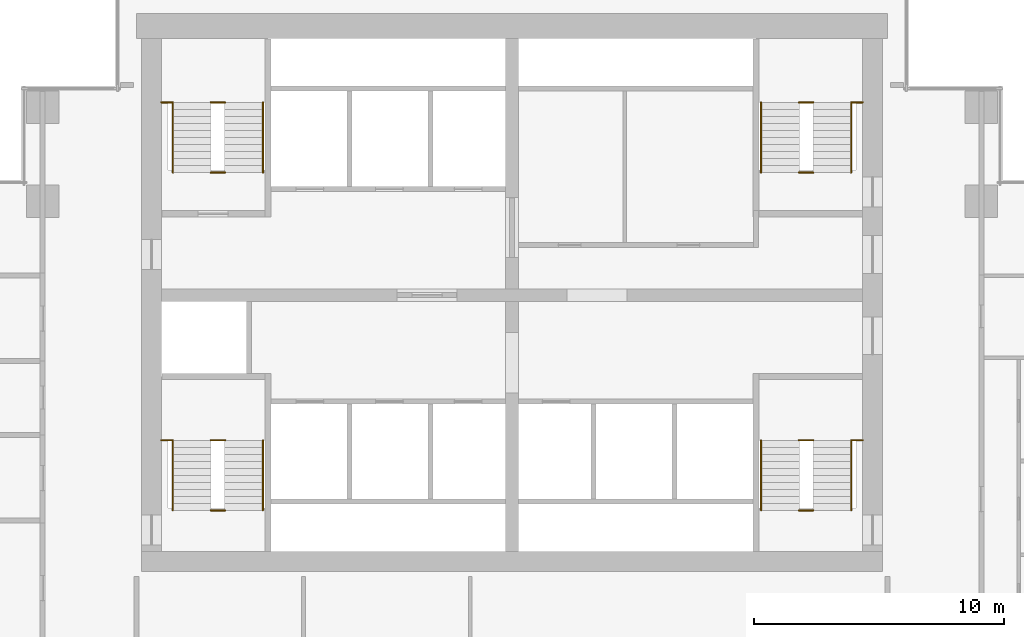
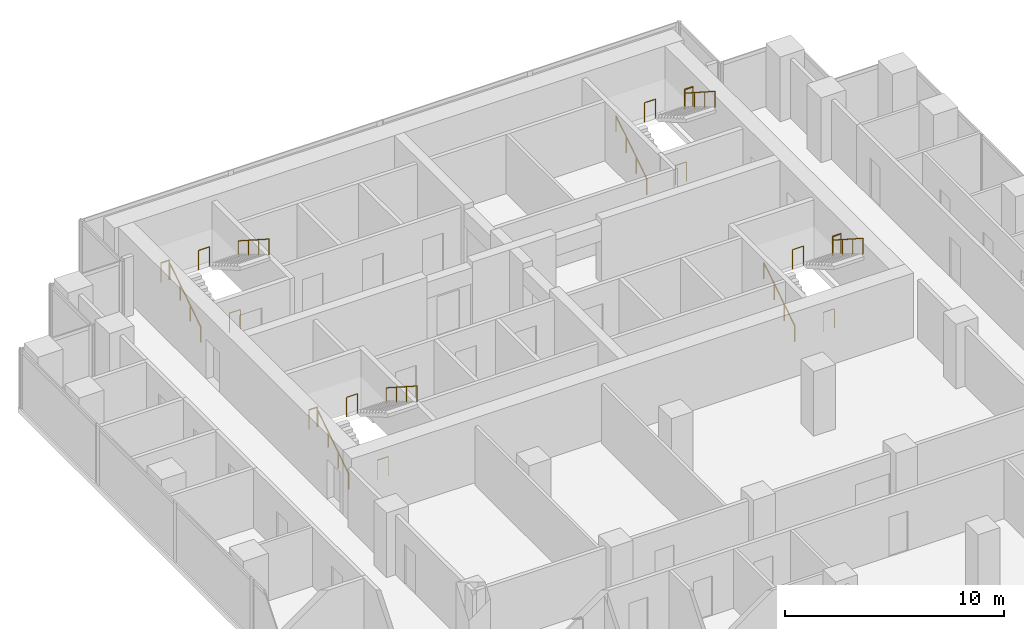
# One storey, part 11 of 11: 20 railings.
"""IFC4 building model written with IfcOpenShell, lengths in metres."""

import ifcopenshell
import ifcopenshell.guid

model = None  # the IFC model being written
_history = None  # IfcOwnerHistory: only IFC2X3 demands one
_inside = {}  # id of a spatial element -> (the spatial element, [elements in it])
_under = {}  # id of a project, library or spatial element -> (it, [spatial elements below it])
_declared = {}  # id of a project -> (the project, [libraries it declares])
_typed = {}  # id of a type object -> (the type object, [elements of that type])
_made_of = {}  # id of a material, layer set ... -> (it, [elements and type objects made of it])


def new_model(schema):
    """Start an empty IFC model of exactly this schema.

    Asked for "IFC4X3", IfcOpenShell would pick the latest addendum, in which some entities
    have other attributes; the version numbers below select the first issue.
    IFC2X3 requires an IfcOwnerHistory on every rooted entity: one is made here for all.
    """
    global model, _history
    if schema == "IFC4X3":
        model = ifcopenshell.file(schema_version=(4, 3, 0, 0))
    else:
        model = ifcopenshell.file(schema=schema)
    _inside.clear()
    _under.clear()
    _declared.clear()
    _typed.clear()
    _made_of.clear()
    _history = None
    if model.schema == "IFC2X3":
        org = make("IfcOrganization", Name="unknown")
        user = make(
            "IfcPersonAndOrganization",
            ThePerson=make("IfcPerson", FamilyName="unknown"),
            TheOrganization=org,
        )
        app = make(
            "IfcApplication",
            ApplicationDeveloper=org,
            Version="unknown",
            ApplicationFullName="unknown",
            ApplicationIdentifier="unknown",
        )
        _history = make(
            "IfcOwnerHistory",
            OwningUser=user,
            OwningApplication=app,
            ChangeAction="ADDED",
            CreationDate=0,
        )
    return model


def make(cls, **values):
    """One entity of the class cls with the attributes given. An attribute that is None is left unset."""
    return model.create_entity(
        cls, **{name: value for name, value in values.items() if value is not None}
    )


def rooted(cls, **values):
    """An entity with a GlobalId (a new one), such as an element, a storey or a relation."""
    return make(cls, GlobalId=ifcopenshell.guid.new(), OwnerHistory=_history, **values)


def si_unit(unit_type, name, prefix=None):
    """IfcSIUnit, for example si_unit("LENGTHUNIT", "METRE", prefix="MILLI")."""
    return make("IfcSIUnit", UnitType=unit_type, Prefix=prefix, Name=name)


def assignment(units):
    """IfcUnitAssignment: the units of a project."""
    return None if units is None else make("IfcUnitAssignment", Units=units)


def point(xyz):
    """IfcCartesianPoint."""
    return None if xyz is None else make("IfcCartesianPoint", Coordinates=xyz)


def direction(xyz):
    """IfcDirection."""
    return None if xyz is None else make("IfcDirection", DirectionRatios=xyz)


def frame(location, z_axis=None, x_axis=None):
    """IfcAxis2Placement3D, a coordinate frame: its origin and axes. An axis left out is left unset."""
    return make(
        "IfcAxis2Placement3D",
        Location=point(location),
        Axis=direction(z_axis),
        RefDirection=direction(x_axis),
    )


def frame_2d(location, x_axis=None):
    """IfcAxis2Placement2D, a coordinate frame in the plane: its origin and x axis."""
    return make(
        "IfcAxis2Placement2D", Location=point(location), RefDirection=direction(x_axis)
    )


def origin():
    """The frame at (0, 0, 0) with its axes left unset."""
    return frame((0.0, 0.0, 0.0))


def origin_2d():
    """The frame at (0, 0) in the plane with its x axis left unset."""
    return frame_2d((0.0, 0.0))


def place(relative_to, where):
    """IfcLocalPlacement: puts the frame where relative to a parent placement (None: the world)."""
    return make(
        "IfcLocalPlacement", PlacementRelTo=relative_to, RelativePlacement=where
    )


def context(
    kind, dimensions, precision=None, world=None, true_north=None, identifier=None
):
    """IfcGeometricRepresentationContext, for example the 3D "Model" context."""
    return make(
        "IfcGeometricRepresentationContext",
        ContextIdentifier=identifier,
        ContextType=kind,
        CoordinateSpaceDimension=dimensions,
        Precision=precision,
        WorldCoordinateSystem=world,
        TrueNorth=true_north,
    )


def subcontext(parent, identifier, kind, view, scale=None):
    """IfcGeometricRepresentationSubContext, for example "Body" below "Model"."""
    return make(
        "IfcGeometricRepresentationSubContext",
        ContextIdentifier=identifier,
        ContextType=kind,
        ParentContext=parent,
        TargetScale=scale,
        TargetView=view,
    )


def project(units=None, contexts=None):
    """IfcProject with its units and contexts."""
    return rooted(
        "IfcProject",
        Name="project",
        RepresentationContexts=contexts,
        UnitsInContext=assignment(units),
    )


def spatial(cls, under=None, at=None, **own):
    """A site, building, storey or space (cls), placed at a placement, below another one or the project."""
    s = rooted(cls, ObjectPlacement=at, **own)
    if under is not None:
        _under.setdefault(under.id(), (under, []))[1].append(s)
    return s


def profile(cls, at=None, kind="AREA", **sizes):
    """A parametric profile (cls). Its sizes go by their IFC names, for example OverallWidth=200.0."""
    return make(cls, ProfileType=kind, Position=at, **sizes)


def circle(**sizes):
    """IfcCircleProfileDef."""
    return profile("IfcCircleProfileDef", **sizes)


def extrude(swept, where, along, depth):
    """IfcExtrudedAreaSolid: the profile swept, set in the frame where, extruded along a direction by depth."""
    return make(
        "IfcExtrudedAreaSolid",
        SweptArea=swept,
        Position=where,
        ExtrudedDirection=direction(along),
        Depth=depth,
    )


def shape(context_of_items, identifier, shape_type, items):
    """IfcShapeRepresentation: the items that make up one representation, for example the "Body"."""
    return make(
        "IfcShapeRepresentation",
        ContextOfItems=context_of_items,
        RepresentationIdentifier=identifier,
        RepresentationType=shape_type,
        Items=items,
    )


def material(Name=None, Category=None):
    """IfcMaterial."""
    return make("IfcMaterial", Name=Name, Category=Category)


def made_of(thing, what):
    """Note that an element or type object is made of a material, layer set ...; save() writes the relation."""
    if what is not None:
        _made_of.setdefault(what.id(), (what, []))[1].append(thing)
    return thing


def type_object(cls, material=None, **own):
    """A type object (cls), such as IfcWallType, which elements share."""
    return made_of(rooted(cls, **own), material)


def element(
    cls,
    number,
    at=None,
    inside=None,
    cuts=None,
    type_object=None,
    material=None,
    context=None,
    identifier="Body",
    shape_type=None,
    held_by="IfcProductDefinitionShape",
    body=None,
    shapes=None,
    **own,
):
    """One element of the class cls, such as IfcWall. Its Tag is "e" and its number.

    at: its placement. inside: the storey or other place that contains it. cuts: it is an
    opening in that element (IfcRelVoidsElement). A single representation is given by context,
    identifier, shape_type and body (its items); several are given by shapes. held_by: the class
    of the entity that holds the representations. save() writes the other relations.
    """
    e = rooted(cls, Tag="e%d" % number, ObjectPlacement=at, **own)
    if body is not None:
        shapes = [shape(context, identifier, shape_type, body)]
    if shapes is not None:
        e.Representation = make(held_by, Representations=shapes)
    if inside is not None:
        _inside.setdefault(inside.id(), (inside, []))[1].append(e)
    if cuts is not None:
        rooted(
            "IfcRelVoidsElement", RelatingBuildingElement=cuts, RelatedOpeningElement=e
        )
    if type_object is not None:
        _typed.setdefault(type_object.id(), (type_object, []))[1].append(e)
    return made_of(e, material)


def aggregate(whole, parts):
    """IfcRelAggregates: a whole, such as a stair, and the parts it consists of."""
    return rooted("IfcRelAggregates", RelatingObject=whole, RelatedObjects=parts)


def save(model, path):
    """Write the relations noted so far, then the file.

    IfcRelAggregates (storeys below a building ...), IfcRelContainedInSpatialStructure (elements
    in a storey), IfcRelDefinesByType, IfcRelAssociatesMaterial and IfcRelDeclares: one each for
    every whole, place, type object, material and project.
    """
    for whole, parts in _under.values():
        aggregate(whole, parts)
    for where, things in _inside.values():
        rooted(
            "IfcRelContainedInSpatialStructure",
            RelatedElements=things,
            RelatingStructure=where,
        )
    for kind, things in _typed.values():
        rooted("IfcRelDefinesByType", RelatedObjects=things, RelatingType=kind)
    for what, things in _made_of.values():
        rooted("IfcRelAssociatesMaterial", RelatedObjects=things, RelatingMaterial=what)
    for by, libraries in _declared.values():
        rooted("IfcRelDeclares", RelatingContext=by, RelatedDefinitions=libraries)
    model.write(path)


model = new_model("IFC4")

# Units and contexts
model_context = context("Model", 3, precision=1e-05, world=origin(), true_north=direction((0.0, 1.0)))
body_context = subcontext(model_context, "Body", "Model", "MODEL_VIEW")
ifc_project = project(units=[si_unit("LENGTHUNIT", "METRE"), si_unit("AREAUNIT", "SQUARE_METRE"), si_unit("VOLUMEUNIT", "CUBIC_METRE"), si_unit("PLANEANGLEUNIT", "RADIAN"), si_unit("MASSUNIT", "GRAM", prefix="KILO")], contexts=[model_context])

# Site, building, storey
site_placement = place(None, origin())
site = spatial("IfcSite", under=ifc_project, at=site_placement, CompositionType="ELEMENT")
building_placement = place(site_placement, origin())
building = spatial("IfcBuilding", under=site, at=building_placement, Name="Pilkhan Gate Tower", CompositionType="ELEMENT")
storey_placement = place(building_placement, frame((0.0, 0.0, 121.60009765625)))
storey = spatial("IfcBuildingStorey", under=building, at=storey_placement, Name="L30", CompositionType="ELEMENT", Elevation=121.60009765625)

# Railings
ifc_material_1 = material(Name="Black powder-coated steel tube", Category="steel")
railing_type_1 = type_object("IfcRailingType", Name="Stair handrail HR1", PredefinedType="HANDRAIL", material=ifc_material_1)
railing_1_placement = place(storey_placement, frame((84.949951171875, 73.89990234375, 0.0)))
element("IfcRailing", 1, at=railing_1_placement, inside=storey, type_object=railing_type_1, Name="Stair ST1 handrail L30", PredefinedType="HANDRAIL", context=body_context, shape_type="SweptSolid", body=[
    extrude(circle(Radius=0.02392578125, at=origin_2d()), frame((0.0, 0.0, 0.8759765625), z_axis=(0.0, 0.841209454229, 0.540709398952), x_axis=(-1.0, 0.0, 0.0)), (0.0, 0.0, 1.0), 3.32861328125),
    extrude(circle(Radius=0.02099609375, at=origin_2d()), origin(), (0.0, 0.0, 1.0), 0.851806640625),
    extrude(circle(Radius=0.02099609375, at=origin_2d()), frame((0.0, 0.933349609375, 0.599853515625)), (0.0, 0.0, 1.0), 0.851806640625),
    extrude(circle(Radius=0.02099609375, at=origin_2d()), frame((0.0, 1.86669921875, 1.199951171875)), (0.0, 0.0, 1.0), 0.851806640625),
    extrude(circle(Radius=0.02099609375, at=origin_2d()), frame((0.0, 2.800048828125, 1.7998046875)), (0.0, 0.0, 1.0), 0.851806640625),
])
railing_2_placement = place(storey_placement, frame((88.550048828125, 76.699951171875, 1.7998046875)))
element("IfcRailing", 2, at=railing_2_placement, inside=storey, type_object=railing_type_1, Name="Stair ST1 handrail L30", PredefinedType="HANDRAIL", context=body_context, shape_type="SweptSolid", body=[
    extrude(circle(Radius=0.02392578125, at=origin_2d()), frame((0.0, 0.0, 0.8759765625), z_axis=(0.0, -0.841176092368, 0.540761298198), x_axis=(1.0, 0.0, 0.0)), (0.0, 0.0, 1.0), 3.32861328125),
    extrude(circle(Radius=0.02099609375, at=origin_2d()), origin(), (0.0, 0.0, 1.0), 0.851806640625),
    extrude(circle(Radius=0.02099609375, at=origin_2d()), frame((0.0, -0.933349609375, 0.60009765625)), (0.0, 0.0, 1.0), 0.851806640625),
    extrude(circle(Radius=0.02099609375, at=origin_2d()), frame((0.0, -1.86669921875, 1.199951171875)), (0.0, 0.0, 1.0), 0.851806640625),
    extrude(circle(Radius=0.02099609375, at=origin_2d()), frame((0.0, -2.800048828125, 1.800048828125)), (0.0, 0.0, 1.0), 0.851806640625),
])
railing_3_placement = place(storey_placement, frame((61.449951171875, 73.89990234375, 0.0)))
element("IfcRailing", 3, at=railing_3_placement, inside=storey, type_object=railing_type_1, Name="Stair ST2 handrail L30", PredefinedType="HANDRAIL", context=body_context, shape_type="SweptSolid", body=[
    extrude(circle(Radius=0.02392578125, at=origin_2d()), frame((0.0, 0.0, 0.8759765625), z_axis=(0.0, 0.841209454229, 0.540709398952), x_axis=(-1.0, 0.0, 0.0)), (0.0, 0.0, 1.0), 3.32861328125),
    extrude(circle(Radius=0.02099609375, at=origin_2d()), origin(), (0.0, 0.0, 1.0), 0.851806640625),
    extrude(circle(Radius=0.02099609375, at=origin_2d()), frame((0.0, 0.933349609375, 0.599853515625)), (0.0, 0.0, 1.0), 0.851806640625),
    extrude(circle(Radius=0.02099609375, at=origin_2d()), frame((0.0, 1.86669921875, 1.199951171875)), (0.0, 0.0, 1.0), 0.851806640625),
    extrude(circle(Radius=0.02099609375, at=origin_2d()), frame((0.0, 2.800048828125, 1.7998046875)), (0.0, 0.0, 1.0), 0.851806640625),
])
railing_4_placement = place(storey_placement, frame((65.050048828125, 76.699951171875, 1.7998046875)))
element("IfcRailing", 4, at=railing_4_placement, inside=storey, type_object=railing_type_1, Name="Stair ST2 handrail L30", PredefinedType="HANDRAIL", context=body_context, shape_type="SweptSolid", body=[
    extrude(circle(Radius=0.02392578125, at=origin_2d()), frame((0.0, 0.0, 0.8759765625), z_axis=(0.0, -0.841176092368, 0.540761298198), x_axis=(1.0, 0.0, 0.0)), (0.0, 0.0, 1.0), 3.32861328125),
    extrude(circle(Radius=0.02099609375, at=origin_2d()), origin(), (0.0, 0.0, 1.0), 0.851806640625),
    extrude(circle(Radius=0.02099609375, at=origin_2d()), frame((0.0, -0.933349609375, 0.60009765625)), (0.0, 0.0, 1.0), 0.851806640625),
    extrude(circle(Radius=0.02099609375, at=origin_2d()), frame((0.0, -1.86669921875, 1.199951171875)), (0.0, 0.0, 1.0), 0.851806640625),
    extrude(circle(Radius=0.02099609375, at=origin_2d()), frame((0.0, -2.800048828125, 1.800048828125)), (0.0, 0.0, 1.0), 0.851806640625),
])
railing_5_placement = place(storey_placement, frame((61.449951171875, 87.39990234375, 0.0)))
element("IfcRailing", 5, at=railing_5_placement, inside=storey, type_object=railing_type_1, Name="Stair ST3 handrail L30", PredefinedType="HANDRAIL", context=body_context, shape_type="SweptSolid", body=[
    extrude(circle(Radius=0.02392578125, at=origin_2d()), frame((0.0, 0.0, 0.8759765625), z_axis=(0.0, 0.841209454229, 0.540709398952), x_axis=(-1.0, 0.0, 0.0)), (0.0, 0.0, 1.0), 3.32861328125),
    extrude(circle(Radius=0.02099609375, at=origin_2d()), origin(), (0.0, 0.0, 1.0), 0.851806640625),
    extrude(circle(Radius=0.02099609375, at=origin_2d()), frame((0.0, 0.933349609375, 0.599853515625)), (0.0, 0.0, 1.0), 0.851806640625),
    extrude(circle(Radius=0.02099609375, at=origin_2d()), frame((0.0, 1.86669921875, 1.199951171875)), (0.0, 0.0, 1.0), 0.851806640625),
    extrude(circle(Radius=0.02099609375, at=origin_2d()), frame((0.0, 2.800048828125, 1.7998046875)), (0.0, 0.0, 1.0), 0.851806640625),
])
railing_6_placement = place(storey_placement, frame((65.050048828125, 90.199951171875, 1.7998046875)))
element("IfcRailing", 6, at=railing_6_placement, inside=storey, type_object=railing_type_1, Name="Stair ST3 handrail L30", PredefinedType="HANDRAIL", context=body_context, shape_type="SweptSolid", body=[
    extrude(circle(Radius=0.02392578125, at=origin_2d()), frame((0.0, 0.0, 0.8759765625), z_axis=(0.0, -0.841176092368, 0.540761298198), x_axis=(1.0, 0.0, 0.0)), (0.0, 0.0, 1.0), 3.32861328125),
    extrude(circle(Radius=0.02099609375, at=origin_2d()), origin(), (0.0, 0.0, 1.0), 0.851806640625),
    extrude(circle(Radius=0.02099609375, at=origin_2d()), frame((0.0, -0.933349609375, 0.60009765625)), (0.0, 0.0, 1.0), 0.851806640625),
    extrude(circle(Radius=0.02099609375, at=origin_2d()), frame((0.0, -1.86669921875, 1.199951171875)), (0.0, 0.0, 1.0), 0.851806640625),
    extrude(circle(Radius=0.02099609375, at=origin_2d()), frame((0.0, -2.800048828125, 1.800048828125)), (0.0, 0.0, 1.0), 0.851806640625),
])
railing_7_placement = place(storey_placement, frame((84.949951171875, 87.39990234375, 0.0)))
element("IfcRailing", 7, at=railing_7_placement, inside=storey, type_object=railing_type_1, Name="Stair ST4 handrail L30", PredefinedType="HANDRAIL", context=body_context, shape_type="SweptSolid", body=[
    extrude(circle(Radius=0.02392578125, at=origin_2d()), frame((0.0, 0.0, 0.8759765625), z_axis=(0.0, 0.841209454229, 0.540709398952), x_axis=(-1.0, 0.0, 0.0)), (0.0, 0.0, 1.0), 3.32861328125),
    extrude(circle(Radius=0.02099609375, at=origin_2d()), origin(), (0.0, 0.0, 1.0), 0.851806640625),
    extrude(circle(Radius=0.02099609375, at=origin_2d()), frame((0.0, 0.933349609375, 0.599853515625)), (0.0, 0.0, 1.0), 0.851806640625),
    extrude(circle(Radius=0.02099609375, at=origin_2d()), frame((0.0, 1.86669921875, 1.199951171875)), (0.0, 0.0, 1.0), 0.851806640625),
    extrude(circle(Radius=0.02099609375, at=origin_2d()), frame((0.0, 2.800048828125, 1.7998046875)), (0.0, 0.0, 1.0), 0.851806640625),
])
railing_8_placement = place(storey_placement, frame((88.550048828125, 90.199951171875, 1.7998046875)))
element("IfcRailing", 8, at=railing_8_placement, inside=storey, type_object=railing_type_1, Name="Stair ST4 handrail L30", PredefinedType="HANDRAIL", context=body_context, shape_type="SweptSolid", body=[
    extrude(circle(Radius=0.02392578125, at=origin_2d()), frame((0.0, 0.0, 0.8759765625), z_axis=(0.0, -0.841176092368, 0.540761298198), x_axis=(1.0, 0.0, 0.0)), (0.0, 0.0, 1.0), 3.32861328125),
    extrude(circle(Radius=0.02099609375, at=origin_2d()), origin(), (0.0, 0.0, 1.0), 0.851806640625),
    extrude(circle(Radius=0.02099609375, at=origin_2d()), frame((0.0, -0.933349609375, 0.60009765625)), (0.0, 0.0, 1.0), 0.851806640625),
    extrude(circle(Radius=0.02099609375, at=origin_2d()), frame((0.0, -1.86669921875, 1.199951171875)), (0.0, 0.0, 1.0), 0.851806640625),
    extrude(circle(Radius=0.02099609375, at=origin_2d()), frame((0.0, -2.800048828125, 1.800048828125)), (0.0, 0.0, 1.0), 0.851806640625),
])
ifc_material_2 = material(Name="Black powder-coated steel balusters", Category="steel")
railing_type_2 = type_object("IfcRailingType", Name="Stair well guard G3", PredefinedType="GUARDRAIL", material=ifc_material_2)
railing_9_placement = place(storey_placement, frame((88.580078125, 76.699951171875, 1.7998046875)))
element("IfcRailing", 9, at=railing_9_placement, inside=storey, type_object=railing_type_2, Name="Stair ST1 well guard L30", PredefinedType="GUARDRAIL", context=body_context, shape_type="SweptSolid", body=[
    extrude(circle(Radius=0.02392578125, at=origin_2d()), frame((0.0, 0.0, 1.076171875), z_axis=(1.0, 0.0, 0.0), x_axis=(0.0, 1.0, 0.0)), (0.0, 0.0, 1.0), 0.43994140625),
    extrude(circle(Radius=0.02099609375, at=origin_2d()), origin(), (0.0, 0.0, 1.0), 1.052001953125),
    extrude(circle(Radius=0.02099609375, at=origin_2d()), frame((0.43994140625, 0.0, 0.0)), (0.0, 0.0, 1.0), 1.052001953125),
])
for number, where, name in (
    (10, (86.4599609375, 73.89990234375, 0.0), "Stair ST1 well guard L30"),
    (11, (86.4599609375, 76.699951171875, 1.7998046875), "Stair ST1 well guard L30"),
):
    element("IfcRailing", number, at=place(storey_placement, frame(where)), inside=storey, type_object=railing_type_2, Name=name, PredefinedType="GUARDRAIL", context=body_context, shape_type="SweptSolid", body=[
        extrude(circle(Radius=0.02392578125, at=origin_2d()), frame((0.0, 0.0, 1.076171875), z_axis=(1.0, 0.0, 0.0), x_axis=(0.0, 1.0, 0.0)), (0.0, 0.0, 1.0), 0.580078125),
        extrude(circle(Radius=0.02099609375, at=origin_2d()), origin(), (0.0, 0.0, 1.0), 1.052001953125),
        extrude(circle(Radius=0.02099609375, at=origin_2d()), frame((0.580078125, 0.0, 0.0)), (0.0, 0.0, 1.0), 1.052001953125),
    ])
railing_10_placement = place(storey_placement, frame((60.97998046875, 76.699951171875, 1.7998046875)))
element("IfcRailing", 12, at=railing_10_placement, inside=storey, type_object=railing_type_2, Name="Stair ST2 well guard L30", PredefinedType="GUARDRAIL", context=body_context, shape_type="SweptSolid", body=[
    extrude(circle(Radius=0.02392578125, at=origin_2d()), frame((0.0, 0.0, 1.076171875), z_axis=(1.0, 0.0, 0.0), x_axis=(0.0, 1.0, 0.0)), (0.0, 0.0, 1.0), 0.43994140625),
    extrude(circle(Radius=0.02099609375, at=origin_2d()), origin(), (0.0, 0.0, 1.0), 1.052001953125),
    extrude(circle(Radius=0.02099609375, at=origin_2d()), frame((0.43994140625, 0.0, 0.0)), (0.0, 0.0, 1.0), 1.052001953125),
])
for number, where, name in (
    (13, (62.9599609375, 73.89990234375, 0.0), "Stair ST2 well guard L30"),
    (14, (62.9599609375, 76.699951171875, 1.7998046875), "Stair ST2 well guard L30"),
):
    element("IfcRailing", number, at=place(storey_placement, frame(where)), inside=storey, type_object=railing_type_2, Name=name, PredefinedType="GUARDRAIL", context=body_context, shape_type="SweptSolid", body=[
        extrude(circle(Radius=0.02392578125, at=origin_2d()), frame((0.0, 0.0, 1.076171875), z_axis=(1.0, 0.0, 0.0), x_axis=(0.0, 1.0, 0.0)), (0.0, 0.0, 1.0), 0.580078125),
        extrude(circle(Radius=0.02099609375, at=origin_2d()), origin(), (0.0, 0.0, 1.0), 1.052001953125),
        extrude(circle(Radius=0.02099609375, at=origin_2d()), frame((0.580078125, 0.0, 0.0)), (0.0, 0.0, 1.0), 1.052001953125),
    ])
railing_11_placement = place(storey_placement, frame((60.97998046875, 90.199951171875, 1.7998046875)))
element("IfcRailing", 15, at=railing_11_placement, inside=storey, type_object=railing_type_2, Name="Stair ST3 well guard L30", PredefinedType="GUARDRAIL", context=body_context, shape_type="SweptSolid", body=[
    extrude(circle(Radius=0.02392578125, at=origin_2d()), frame((0.0, 0.0, 1.076171875), z_axis=(1.0, 0.0, 0.0), x_axis=(0.0, 1.0, 0.0)), (0.0, 0.0, 1.0), 0.43994140625),
    extrude(circle(Radius=0.02099609375, at=origin_2d()), origin(), (0.0, 0.0, 1.0), 1.052001953125),
    extrude(circle(Radius=0.02099609375, at=origin_2d()), frame((0.43994140625, 0.0, 0.0)), (0.0, 0.0, 1.0), 1.052001953125),
])
for number, where, name in (
    (16, (62.9599609375, 87.39990234375, 0.0), "Stair ST3 well guard L30"),
    (17, (62.9599609375, 90.199951171875, 1.7998046875), "Stair ST3 well guard L30"),
):
    element("IfcRailing", number, at=place(storey_placement, frame(where)), inside=storey, type_object=railing_type_2, Name=name, PredefinedType="GUARDRAIL", context=body_context, shape_type="SweptSolid", body=[
        extrude(circle(Radius=0.02392578125, at=origin_2d()), frame((0.0, 0.0, 1.076171875), z_axis=(1.0, 0.0, 0.0), x_axis=(0.0, 1.0, 0.0)), (0.0, 0.0, 1.0), 0.580078125),
        extrude(circle(Radius=0.02099609375, at=origin_2d()), origin(), (0.0, 0.0, 1.0), 1.052001953125),
        extrude(circle(Radius=0.02099609375, at=origin_2d()), frame((0.580078125, 0.0, 0.0)), (0.0, 0.0, 1.0), 1.052001953125),
    ])
railing_12_placement = place(storey_placement, frame((88.580078125, 90.199951171875, 1.7998046875)))
element("IfcRailing", 18, at=railing_12_placement, inside=storey, type_object=railing_type_2, Name="Stair ST4 well guard L30", PredefinedType="GUARDRAIL", context=body_context, shape_type="SweptSolid", body=[
    extrude(circle(Radius=0.02392578125, at=origin_2d()), frame((0.0, 0.0, 1.076171875), z_axis=(1.0, 0.0, 0.0), x_axis=(0.0, 1.0, 0.0)), (0.0, 0.0, 1.0), 0.43994140625),
    extrude(circle(Radius=0.02099609375, at=origin_2d()), origin(), (0.0, 0.0, 1.0), 1.052001953125),
    extrude(circle(Radius=0.02099609375, at=origin_2d()), frame((0.43994140625, 0.0, 0.0)), (0.0, 0.0, 1.0), 1.052001953125),
])
for number, where, name in (
    (19, (86.4599609375, 87.39990234375, 0.0), "Stair ST4 well guard L30"),
    (20, (86.4599609375, 90.199951171875, 1.7998046875), "Stair ST4 well guard L30"),
):
    element("IfcRailing", number, at=place(storey_placement, frame(where)), inside=storey, type_object=railing_type_2, Name=name, PredefinedType="GUARDRAIL", context=body_context, shape_type="SweptSolid", body=[
        extrude(circle(Radius=0.02392578125, at=origin_2d()), frame((0.0, 0.0, 1.076171875), z_axis=(1.0, 0.0, 0.0), x_axis=(0.0, 1.0, 0.0)), (0.0, 0.0, 1.0), 0.580078125),
        extrude(circle(Radius=0.02099609375, at=origin_2d()), origin(), (0.0, 0.0, 1.0), 1.052001953125),
        extrude(circle(Radius=0.02099609375, at=origin_2d()), frame((0.580078125, 0.0, 0.0)), (0.0, 0.0, 1.0), 1.052001953125),
    ])

save(model, "model.ifc")
